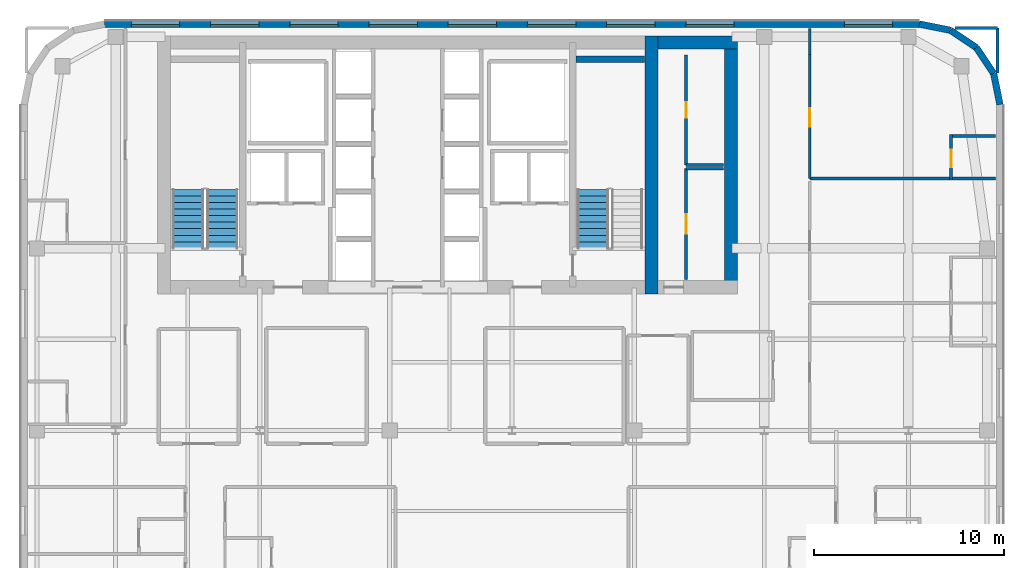
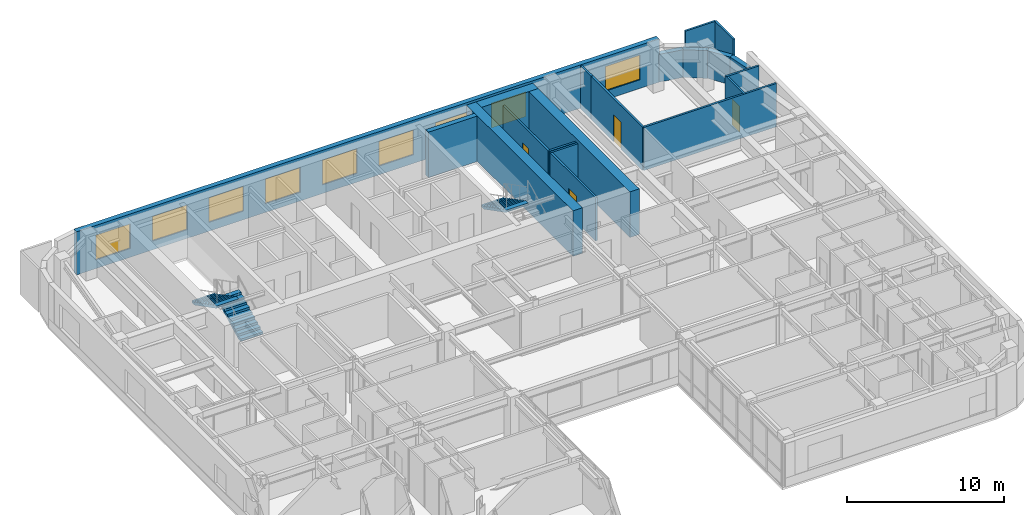
# One storey, part 15 of 21: 20 walls, 9 windows, 4 doors, 3 stair flights, 13 openings, 2 elements without a shape of their own.
"""IFC4 building model written with IfcOpenShell, lengths in metres."""

from ifc_helpers import new_model, si_unit, direction, frame, frame_2d, origin, place, context, subcontext, project, spatial, polyline, rectangle, outline, extrude, source, transform, mapped, material, layer, layer_set, type_object, type_shapes, element, fill, aggregate, save


model = new_model("IFC4")

# Units and contexts
model_context = context("Model", 3, precision=1e-05, world=origin(), true_north=direction((0.0, 1.0)))
body_context = subcontext(model_context, "Body", "Model", "MODEL_VIEW")
ifc_project = project(units=[si_unit("LENGTHUNIT", "METRE"), si_unit("AREAUNIT", "SQUARE_METRE"), si_unit("VOLUMEUNIT", "CUBIC_METRE"), si_unit("PLANEANGLEUNIT", "RADIAN"), si_unit("MASSUNIT", "GRAM", prefix="KILO")], contexts=[model_context])

# Site, building, storey
site_placement = place(None, origin())
site = spatial("IfcSite", under=ifc_project, at=site_placement, CompositionType="ELEMENT")
building_placement = place(site_placement, origin())
building = spatial("IfcBuilding", under=site, at=building_placement, Name="Tolvann Quenvar Hotel", CompositionType="ELEMENT")
storey_placement = place(building_placement, frame((0.0, 0.0, 161.25)))
storey = spatial("IfcBuildingStorey", under=building, at=storey_placement, Name="L42", CompositionType="ELEMENT", Elevation=161.25)

# Walls
ifc_material_1 = material(Name="Concrete S65 (65 MPa)", Category="concrete")
ifc_layer_1 = layer(ifc_material_1, 0.699951171875)
ifc_layer_set_1 = layer_set([ifc_layer_1], Name="Concrete S65 (65 MPa)")
wall_type_1 = type_object("IfcWallType", Name="WALL_CORE_700", PredefinedType="SHEAR", material=ifc_layer_set_1)
wall_1_placement = place(storey_placement, frame((35.85009765625, 31.60009765625, 0.0), z_axis=(0.0, 0.0, 1.0), x_axis=(0.0, 1.0, 0.0)))
element("IfcWall", 1, at=wall_1_placement, inside=storey, type_object=wall_type_1, Name="Rear Core E Shear Wall (L42)", PredefinedType="SHEAR", context=body_context, shape_type="SweptSolid", body=[
    extrude(rectangle(XDim=13.599853515625, YDim=0.699951171875, at=frame_2d((6.7998046875, 0.0))), origin(), (0.0, 0.0, 1.0), 3.550048828125),
])
wall_2_placement = place(storey_placement, frame((36.199951171875, 44.85009765625, 0.0), z_axis=(0.0, 0.0, 1.0), x_axis=(1.0, 0.0, 0.0)))
element("IfcWall", 2, at=wall_2_placement, inside=storey, type_object=wall_type_1, Name="Core East Annex Shear Wall ANN-N (L42)", PredefinedType="SHEAR", context=body_context, shape_type="SweptSolid", body=[
    extrude(rectangle(XDim=4.199951171875, YDim=0.699951171875, at=frame_2d((2.10009765625, 0.0))), origin(), (0.0, 0.0, 1.0), 3.550048828125),
])
wall_3_placement = place(storey_placement, frame((40.050048828125, 31.60009765625, 0.0), z_axis=(0.0, 0.0, 1.0), x_axis=(0.0, 1.0, 0.0)))
element("IfcWall", 3, at=wall_3_placement, inside=storey, type_object=wall_type_1, Name="Core East Annex Shear Wall ANN-E (L42)", PredefinedType="SHEAR", context=body_context, shape_type="SweptSolid", body=[
    extrude(rectangle(XDim=13.599853515625, YDim=0.699951171875, at=frame_2d((6.7998046875, 0.0))), origin(), (0.0, 0.0, 1.0), 3.550048828125),
])
ifc_layer_2 = layer(ifc_material_1, 0.35009765625)
ifc_layer_set_2 = layer_set([ifc_layer_2], Name="Concrete S65 (65 MPa)")
wall_type_2 = type_object("IfcWallType", Name="WALL_CORE_INT_350", PredefinedType="SHEAR", material=ifc_layer_set_2)
wall_4_placement = place(storey_placement, frame((31.8798828125, 43.97509765625, 0.0), z_axis=(0.0, 0.0, 1.0), x_axis=(1.0, 0.0, 0.0)))
element("IfcWall", 4, at=wall_4_placement, inside=storey, type_object=wall_type_2, Name="Core Stair North Closing Shear Wall STC2-N (L42)", PredefinedType="SHEAR", context=body_context, shape_type="SweptSolid", body=[
    extrude(rectangle(XDim=3.60009765625, YDim=0.35009765625, at=frame_2d((1.800048828125, 0.0))), origin(), (0.0, 0.0, 1.0), 3.550048828125),
])
ifc_material_2 = material(Name="Kiln-fired red and buff architectural clay brickwork and terracotta masonry", Category="masonry")
ifc_layer_3 = layer(ifc_material_2, 0.35009765625)
ifc_layer_set_3 = layer_set([ifc_layer_3], Name="Kiln-fired red and buff architectural clay brickwork and terracotta masonry")
wall_type_3 = type_object("IfcWallType", Name="WALL_EXT_BRICK_350", PredefinedType="SOLIDWALL", material=ifc_layer_set_3)
wall_5_placement = place(storey_placement, frame((54.22509765625, 41.582763671875, 0.0), z_axis=(0.0, 0.0, 1.0), x_axis=(-0.195044345786, 0.980794424524, 0.0)))
element("IfcWall", 5, at=wall_5_placement, inside=storey, type_object=wall_type_3, Name="Exterior Chicago Brick Wall L42-E14", PredefinedType="SOLIDWALL", context=body_context, shape_type="SweptSolid", body=[
    extrude(rectangle(XDim=1.664794921875, YDim=0.35009765625, at=frame_2d((0.83251953125, 0.0))), origin(), (0.0, 0.0, 1.0), 2.159912109375),
])
for number, where, z_axis, x_axis, name in (
    (6, (53.900390625, 43.215576171875, 0.0), (0.0, 0.0, 1.0), (-0.555623290322, 0.831434158098, 0.0), "Exterior Chicago Brick Wall L42-E15"),
    (7, (52.985107421875, 44.585205078125, 0.0), (0.0, 0.0, 1.0), (-0.831502623162, 0.555520825599, 0.0), "Exterior Chicago Brick Wall L42-E16"),
):
    element("IfcWall", number, at=place(storey_placement, frame(where, z_axis=z_axis, x_axis=x_axis)), inside=storey, type_object=wall_type_3, Name=name, PredefinedType="SOLIDWALL", context=body_context, shape_type="SweptSolid", body=[
        extrude(rectangle(XDim=1.647216796875, YDim=0.35009765625, at=frame_2d((0.82373046875, 0.0))), origin(), (0.0, 0.0, 1.0), 2.159912109375),
    ])
wall_6_placement = place(storey_placement, frame((51.615478515625, 45.500244140625, 0.0), z_axis=(0.0, 0.0, 1.0), x_axis=(-0.980788844421, 0.195072403631, 0.0)))
element("IfcWall", 8, at=wall_6_placement, inside=storey, type_object=wall_type_3, Name="Exterior Chicago Brick Wall L42-E17", PredefinedType="SOLIDWALL", context=body_context, shape_type="SweptSolid", body=[
    extrude(rectangle(XDim=1.66455078125, YDim=0.35009765625, at=frame_2d((0.832275390625, 0.0))), origin(), (0.0, 0.0, 1.0), 2.159912109375),
])

# Wall, openings, windows
wall_7_placement = place(storey_placement, frame((49.98291015625, 45.824951171875, 0.0), z_axis=(0.0, 0.0, 1.0), x_axis=(-1.0, 0.0, 0.0)))
wall_7 = element("IfcWall", 9, at=wall_7_placement, inside=storey, type_object=wall_type_3, Name="Exterior Chicago Brick Wall L42-E18", PredefinedType="SOLIDWALL", context=body_context, shape_type="SweptSolid", body=[
    extrude(rectangle(XDim=42.9658203125, YDim=0.35009765625, at=frame_2d((21.48291015625, 0.0))), origin(), (0.0, 0.0, 1.0), 3.3701171875),
])
opening_1_placement = place(wall_7_placement, frame((1.4130859375, 0.0, 0.679931640625)))
opening_1 = element("IfcOpeningElement", 10, at=opening_1_placement, cuts=wall_7, Name="Opening W-09", PredefinedType="OPENING", context=body_context, shape_type="SweptSolid", body=[
    extrude(rectangle(XDim=2.550048828125, YDim=1.919921875, at=frame_2d((1.27490234375, 0.9599609375))), frame((0.0, 0.18505859375, 0.0), z_axis=(0.0, -1.0, 0.0), x_axis=(1.0, 0.0, 0.0)), (0.0, 0.0, 1.0), 0.3701171875),
])
opening_2_placement = place(wall_7_placement, frame((9.76611328125, 0.0, 0.679931640625)))
opening_2 = element("IfcOpeningElement", 11, at=opening_2_placement, cuts=wall_7, Name="Opening W-09", PredefinedType="OPENING", context=body_context, shape_type="SweptSolid", body=[
    extrude(rectangle(XDim=2.550048828125, YDim=1.919921875, at=frame_2d((1.27490234375, 0.9599609375))), frame((0.0, 0.18505859375, 0.0), z_axis=(0.0, -1.0, 0.0), x_axis=(1.0, 0.0, 0.0)), (0.0, 0.0, 1.0), 0.3701171875),
])
opening_3_placement = place(wall_7_placement, frame((13.943115234375, 0.0, 0.679931640625)))
opening_3 = element("IfcOpeningElement", 12, at=opening_3_placement, cuts=wall_7, Name="Opening W-09", PredefinedType="OPENING", context=body_context, shape_type="SweptSolid", body=[
    extrude(rectangle(XDim=2.550048828125, YDim=1.919921875, at=frame_2d((1.27490234375, 0.9599609375))), frame((0.0, 0.18505859375, 0.0), z_axis=(0.0, -1.0, 0.0), x_axis=(1.0, 0.0, 0.0)), (0.0, 0.0, 1.0), 0.3701171875),
])
opening_4_placement = place(wall_7_placement, frame((18.1201171875, 0.0, 0.679931640625)))
opening_4 = element("IfcOpeningElement", 13, at=opening_4_placement, cuts=wall_7, Name="Opening W-09", PredefinedType="OPENING", context=body_context, shape_type="SweptSolid", body=[
    extrude(rectangle(XDim=2.550048828125, YDim=1.919921875, at=frame_2d((1.27490234375, 0.9599609375))), frame((0.0, 0.18505859375, 0.0), z_axis=(0.0, -1.0, 0.0), x_axis=(1.0, 0.0, 0.0)), (0.0, 0.0, 1.0), 0.3701171875),
])
opening_5_placement = place(wall_7_placement, frame((22.2958984375, 0.0, 0.679931640625)))
opening_5 = element("IfcOpeningElement", 14, at=opening_5_placement, cuts=wall_7, Name="Opening W-09", PredefinedType="OPENING", context=body_context, shape_type="SweptSolid", body=[
    extrude(rectangle(XDim=2.550048828125, YDim=1.919921875, at=frame_2d((1.27490234375, 0.9599609375))), frame((0.0, 0.18505859375, 0.0), z_axis=(0.0, -1.0, 0.0), x_axis=(1.0, 0.0, 0.0)), (0.0, 0.0, 1.0), 0.3701171875),
])
opening_6_placement = place(wall_7_placement, frame((26.472900390625, 0.0, 0.679931640625)))
opening_6 = element("IfcOpeningElement", 15, at=opening_6_placement, cuts=wall_7, Name="Opening W-09", PredefinedType="OPENING", context=body_context, shape_type="SweptSolid", body=[
    extrude(rectangle(XDim=2.550048828125, YDim=1.919921875, at=frame_2d((1.27490234375, 0.9599609375))), frame((0.0, 0.18505859375, 0.0), z_axis=(0.0, -1.0, 0.0), x_axis=(1.0, 0.0, 0.0)), (0.0, 0.0, 1.0), 0.3701171875),
])
opening_7_placement = place(wall_7_placement, frame((30.64892578125, 0.0, 0.679931640625)))
opening_7 = element("IfcOpeningElement", 16, at=opening_7_placement, cuts=wall_7, Name="Opening W-09", PredefinedType="OPENING", context=body_context, shape_type="SweptSolid", body=[
    extrude(rectangle(XDim=2.550048828125, YDim=1.919921875, at=frame_2d((1.27490234375, 0.9599609375))), frame((0.0, 0.18505859375, 0.0), z_axis=(0.0, -1.0, 0.0), x_axis=(1.0, 0.0, 0.0)), (0.0, 0.0, 1.0), 0.3701171875),
])
opening_8_placement = place(wall_7_placement, frame((34.825927734375, 0.0, 0.679931640625)))
opening_8 = element("IfcOpeningElement", 17, at=opening_8_placement, cuts=wall_7, Name="Opening W-09", PredefinedType="OPENING", context=body_context, shape_type="SweptSolid", body=[
    extrude(rectangle(XDim=2.550048828125, YDim=1.919921875, at=frame_2d((1.27490234375, 0.9599609375))), frame((0.0, 0.18505859375, 0.0), z_axis=(0.0, -1.0, 0.0), x_axis=(1.0, 0.0, 0.0)), (0.0, 0.0, 1.0), 0.3701171875),
])
opening_9_placement = place(wall_7_placement, frame((39.001953125, 0.0, 0.679931640625)))
opening_9 = element("IfcOpeningElement", 18, at=opening_9_placement, cuts=wall_7, Name="Opening W-09", PredefinedType="OPENING", context=body_context, shape_type="SweptSolid", body=[
    extrude(rectangle(XDim=2.550048828125, YDim=1.919921875, at=frame_2d((1.27490234375, 0.9599609375))), frame((0.0, 0.18505859375, 0.0), z_axis=(0.0, -1.0, 0.0), x_axis=(1.0, 0.0, 0.0)), (0.0, 0.0, 1.0), 0.3701171875),
])
ifc_material_3 = material(Name="Thermally broken bronze-anodised aluminium frame with double low-E glazing", Category="aluminium")
window_type = type_object("IfcWindowType", Name="WIN_LNG_2550x1950", PartitioningType="TRIPLE_PANEL_HORIZONTAL", PredefinedType="WINDOW", material=ifc_material_3)
shared_shape_1 = source(origin(), body_context, "Body", "SweptSolid", [
    extrude(rectangle(XDim=2.550048828125, YDim=1.919921875, at=frame_2d((1.27490234375, 0.9599609375))), frame((0.0, 0.090087890625, 0.0), z_axis=(0.0, -1.0, 0.0), x_axis=(1.0, 0.0, 0.0)), (0.0, 0.0, 1.0), 0.06005859375),
])
type_shapes(window_type, [shared_shape_1])
window_1_placement = place(opening_1_placement, origin())
window_1 = element("IfcWindow", 19, at=window_1_placement, inside=storey, type_object=window_type, Name="Chicago Window W-09 (EW-L42-E18-W01)", OverallHeight=1.919921875, OverallWidth=2.550048828125, PartitioningType="TRIPLE_PANEL_HORIZONTAL", PredefinedType="WINDOW", context=body_context, shape_type="MappedRepresentation", body=[
    mapped(shared_shape_1, transform((0.0, 0.0, 0.0), x_axis=(1.0, 0.0, 0.0), y_axis=(0.0, 1.0, 0.0), z_axis=(0.0, 0.0, 1.0), scale=1.0)),
])
fill(opening_1, window_1)
window_2_placement = place(opening_2_placement, origin())
window_2 = element("IfcWindow", 20, at=window_2_placement, inside=storey, type_object=window_type, Name="Chicago Window W-09 (EW-L42-E18-W02)", OverallHeight=1.919921875, OverallWidth=2.550048828125, PartitioningType="TRIPLE_PANEL_HORIZONTAL", PredefinedType="WINDOW", context=body_context, shape_type="MappedRepresentation", body=[
    mapped(shared_shape_1, transform((0.0, 0.0, 0.0), x_axis=(1.0, 0.0, 0.0), y_axis=(0.0, 1.0, 0.0), z_axis=(0.0, 0.0, 1.0), scale=1.0)),
])
fill(opening_2, window_2)
window_3_placement = place(opening_3_placement, origin())
window_3 = element("IfcWindow", 21, at=window_3_placement, inside=storey, type_object=window_type, Name="Chicago Window W-09 (EW-L42-E18-W03)", OverallHeight=1.919921875, OverallWidth=2.550048828125, PartitioningType="TRIPLE_PANEL_HORIZONTAL", PredefinedType="WINDOW", context=body_context, shape_type="MappedRepresentation", body=[
    mapped(shared_shape_1, transform((0.0, 0.0, 0.0), x_axis=(1.0, 0.0, 0.0), y_axis=(0.0, 1.0, 0.0), z_axis=(0.0, 0.0, 1.0), scale=1.0)),
])
fill(opening_3, window_3)
window_4_placement = place(opening_4_placement, origin())
window_4 = element("IfcWindow", 22, at=window_4_placement, inside=storey, type_object=window_type, Name="Chicago Window W-09 (EW-L42-E18-W04)", OverallHeight=1.919921875, OverallWidth=2.550048828125, PartitioningType="TRIPLE_PANEL_HORIZONTAL", PredefinedType="WINDOW", context=body_context, shape_type="MappedRepresentation", body=[
    mapped(shared_shape_1, transform((0.0, 0.0, 0.0), x_axis=(1.0, 0.0, 0.0), y_axis=(0.0, 1.0, 0.0), z_axis=(0.0, 0.0, 1.0), scale=1.0)),
])
fill(opening_4, window_4)
window_5_placement = place(opening_5_placement, origin())
window_5 = element("IfcWindow", 23, at=window_5_placement, inside=storey, type_object=window_type, Name="Chicago Window W-09 (EW-L42-E18-W05)", OverallHeight=1.919921875, OverallWidth=2.550048828125, PartitioningType="TRIPLE_PANEL_HORIZONTAL", PredefinedType="WINDOW", context=body_context, shape_type="MappedRepresentation", body=[
    mapped(shared_shape_1, transform((0.0, 0.0, 0.0), x_axis=(1.0, 0.0, 0.0), y_axis=(0.0, 1.0, 0.0), z_axis=(0.0, 0.0, 1.0), scale=1.0)),
])
fill(opening_5, window_5)
window_6_placement = place(opening_6_placement, origin())
window_6 = element("IfcWindow", 24, at=window_6_placement, inside=storey, type_object=window_type, Name="Chicago Window W-09 (EW-L42-E18-W06)", OverallHeight=1.919921875, OverallWidth=2.550048828125, PartitioningType="TRIPLE_PANEL_HORIZONTAL", PredefinedType="WINDOW", context=body_context, shape_type="MappedRepresentation", body=[
    mapped(shared_shape_1, transform((0.0, 0.0, 0.0), x_axis=(1.0, 0.0, 0.0), y_axis=(0.0, 1.0, 0.0), z_axis=(0.0, 0.0, 1.0), scale=1.0)),
])
fill(opening_6, window_6)
window_7_placement = place(opening_7_placement, origin())
window_7 = element("IfcWindow", 25, at=window_7_placement, inside=storey, type_object=window_type, Name="Chicago Window W-09 (EW-L42-E18-W07)", OverallHeight=1.919921875, OverallWidth=2.550048828125, PartitioningType="TRIPLE_PANEL_HORIZONTAL", PredefinedType="WINDOW", context=body_context, shape_type="MappedRepresentation", body=[
    mapped(shared_shape_1, transform((0.0, 0.0, 0.0), x_axis=(1.0, 0.0, 0.0), y_axis=(0.0, 1.0, 0.0), z_axis=(0.0, 0.0, 1.0), scale=1.0)),
])
fill(opening_7, window_7)
window_8_placement = place(opening_8_placement, origin())
window_8 = element("IfcWindow", 26, at=window_8_placement, inside=storey, type_object=window_type, Name="Chicago Window W-09 (EW-L42-E18-W08)", OverallHeight=1.919921875, OverallWidth=2.550048828125, PartitioningType="TRIPLE_PANEL_HORIZONTAL", PredefinedType="WINDOW", context=body_context, shape_type="MappedRepresentation", body=[
    mapped(shared_shape_1, transform((0.0, 0.0, 0.0), x_axis=(1.0, 0.0, 0.0), y_axis=(0.0, 1.0, 0.0), z_axis=(0.0, 0.0, 1.0), scale=1.0)),
])
fill(opening_8, window_8)
window_9_placement = place(opening_9_placement, origin())
window_9 = element("IfcWindow", 27, at=window_9_placement, inside=storey, type_object=window_type, Name="Chicago Window W-09 (EW-L42-E18-W09)", OverallHeight=1.919921875, OverallWidth=2.550048828125, PartitioningType="TRIPLE_PANEL_HORIZONTAL", PredefinedType="WINDOW", context=body_context, shape_type="MappedRepresentation", body=[
    mapped(shared_shape_1, transform((0.0, 0.0, 0.0), x_axis=(1.0, 0.0, 0.0), y_axis=(0.0, 1.0, 0.0), z_axis=(0.0, 0.0, 1.0), scale=1.0)),
])
fill(opening_9, window_9)

# Wall, opening, door
ifc_material_4 = material(Name="Acoustic twin-stud fire-rated gypsum plasterboard partition")
ifc_layer_4 = layer(ifc_material_4, 0.14990234375)
ifc_layer_set_4 = layer_set([ifc_layer_4], Name="Acoustic twin-stud fire-rated gypsum plasterboard partition")
wall_type_4 = type_object("IfcWallType", Name="WALL_PART_SUITE_150", PredefinedType="PARTITIONING", material=ifc_layer_set_4)
wall_8_placement = place(storey_placement, frame((51.64990234375, 37.610107421875, 0.0), z_axis=(0.0, 0.0, 1.0), x_axis=(0.0, 1.0, 0.0)))
wall_8 = element("IfcWall", 28, at=wall_8_placement, inside=storey, type_object=wall_type_4, Name="Interior Partition PT-SPC-L42-ENS-NE03-ENT", PredefinedType="PARTITIONING", context=body_context, shape_type="SweptSolid", body=[
    extrude(rectangle(XDim=2.389892578125, YDim=0.14990234375, at=frame_2d((1.19482421875, 0.0))), origin(), (0.0, 0.0, 1.0), 3.3701171875),
])
opening_10_placement = place(wall_8_placement, frame((0.6650390625, 0.0, 0.0)))
opening_10 = element("IfcOpeningElement", 29, at=opening_10_placement, cuts=wall_8, Name="Opening WD-01", PredefinedType="OPENING", context=body_context, shape_type="SweptSolid", body=[
    extrude(rectangle(XDim=0.919921875, YDim=2.010009765625, at=frame_2d((0.4599609375, 1.0048828125))), frame((0.0, 0.0849609375, 0.0), z_axis=(0.0, -1.0, 0.0), x_axis=(1.0, 0.0, 0.0)), (0.0, 0.0, 1.0), 0.169921875),
])
ifc_material_5 = material(Name="Solid-core American oak acoustic fire door leaf in steel frame", Category="steel")
door_type_1 = type_object("IfcDoorType", Name="DOOR_WC_920", OperationType="NOTDEFINED", PredefinedType="DOOR", material=ifc_material_5)
shared_shape_2 = source(origin(), body_context, "Body", "SweptSolid", [
    extrude(rectangle(XDim=0.919921875, YDim=2.010009765625, at=frame_2d((0.4599609375, 1.0048828125))), frame((0.0, 0.02490234375, 0.0), z_axis=(0.0, -1.0, 0.0), x_axis=(1.0, 0.0, 0.0)), (0.0, 0.0, 1.0), 0.050048828125),
])
type_shapes(door_type_1, [shared_shape_2])
door_1_placement = place(opening_10_placement, origin())
door_1 = element("IfcDoor", 30, at=door_1_placement, inside=storey, type_object=door_type_1, Name="Interior Door DOOR-SPC-L42-ENS-NE03", OperationType="SINGLE_SWING_RIGHT", OverallHeight=2.010009765625, OverallWidth=0.919921875, PredefinedType="DOOR", context=body_context, shape_type="MappedRepresentation", body=[
    mapped(shared_shape_2, transform((0.0, 0.0, 0.0), x_axis=(1.0, 0.0, 0.0), y_axis=(0.0, 1.0, 0.0), z_axis=(0.0, 0.0, 1.0), scale=1.0)),
])
fill(opening_10, door_1)

# Walls
wall_9_placement = place(storey_placement, frame((44.199951171875, 37.679931640625, 0.0), z_axis=(0.0, 0.0, 1.0), x_axis=(1.0, 0.0, 0.0)))
element("IfcWall", 31, at=wall_9_placement, inside=storey, type_object=wall_type_4, Name="Interior Partition PT-SPC-L42-ENS-NE03-S", PredefinedType="PARTITIONING", context=body_context, shape_type="SweptSolid", body=[
    extrude(rectangle(XDim=9.795166015625, YDim=0.14990234375, at=frame_2d((4.8974609375, 0.0))), origin(), (0.0, 0.0, 1.0), 3.3701171875),
])
wall_10_placement = place(storey_placement, frame((51.580078125, 39.929931640625, 0.0), z_axis=(0.0, 0.0, 1.0), x_axis=(1.0, 0.0, 0.0)))
element("IfcWall", 32, at=wall_10_placement, inside=storey, type_object=wall_type_4, Name="Interior Partition PT-SPC-L42-ENS-NE03-N", PredefinedType="PARTITIONING", context=body_context, shape_type="SweptSolid", body=[
    extrude(rectangle(XDim=2.4150390625, YDim=0.14990234375, at=frame_2d((1.20751953125, 0.0))), origin(), (0.0, 0.0, 1.0), 3.3701171875),
])
wall_11_placement = place(storey_placement, frame((37.679931640625, 38.199951171875, 0.0), z_axis=(0.0, 0.0, 1.0), x_axis=(1.0, 0.0, 0.0)))
element("IfcWall", 33, at=wall_11_placement, inside=storey, type_object=wall_type_4, Name="Interior Partition PT-SPC-L42-RECPL-1-N", PredefinedType="PARTITIONING", context=body_context, shape_type="SweptSolid", body=[
    extrude(rectangle(XDim=1.965087890625, YDim=0.14990234375, at=frame_2d((0.982421875, 0.0))), origin(), (0.0, 0.0, 1.0), 3.3701171875),
])

# Wall, opening, door
wall_12_placement = place(storey_placement, frame((37.679931640625, 32.35498046875, 0.0), z_axis=(0.0, 0.0, 1.0), x_axis=(0.0, 1.0, 0.0)))
wall_12 = element("IfcWall", 34, at=wall_12_placement, inside=storey, type_object=wall_type_4, Name="Interior Partition PT-SPC-L42-RECPL-1-W", PredefinedType="PARTITIONING", context=body_context, shape_type="SweptSolid", body=[
    extrude(rectangle(XDim=5.844970703125, YDim=0.14990234375, at=frame_2d((2.92236328125, 0.0))), origin(), (0.0, 0.0, 1.0), 3.3701171875),
])
opening_11_placement = place(wall_12_placement, frame((2.41259765625, 0.0, 0.0)))
opening_11 = element("IfcOpeningElement", 35, at=opening_11_placement, cuts=wall_12, Name="Opening HD-01", PredefinedType="OPENING", context=body_context, shape_type="SweptSolid", body=[
    extrude(rectangle(XDim=1.02001953125, YDim=2.030029296875, at=frame_2d((0.510009765625, 1.01513671875))), frame((0.0, 0.0849609375, 0.0), z_axis=(0.0, -1.0, 0.0), x_axis=(1.0, 0.0, 0.0)), (0.0, 0.0, 1.0), 0.169921875),
])
ifc_material_6 = material(Name="Pressed galvanised steel fire-rated door set", Category="steel")
door_type_2 = type_object("IfcDoorType", Name="DOOR_BOH_1020", OperationType="NOTDEFINED", PredefinedType="DOOR", material=ifc_material_6)
shared_shape_3 = source(origin(), body_context, "Body", "SweptSolid", [
    extrude(rectangle(XDim=1.02001953125, YDim=2.030029296875, at=frame_2d((0.510009765625, 1.01513671875))), frame((0.0, 0.02490234375, 0.0), z_axis=(0.0, -1.0, 0.0), x_axis=(1.0, 0.0, 0.0)), (0.0, 0.0, 1.0), 0.050048828125),
])
type_shapes(door_type_2, [shared_shape_3])
door_2_placement = place(opening_11_placement, origin())
door_2 = element("IfcDoor", 36, at=door_2_placement, inside=storey, type_object=door_type_2, Name="Interior Door DOOR-SPC-L42-RECPL-1", OperationType="SINGLE_SWING_LEFT", OverallHeight=2.030029296875, OverallWidth=1.02001953125, PredefinedType="DOOR", context=body_context, shape_type="MappedRepresentation", body=[
    mapped(shared_shape_3, transform((0.0, 0.0, 0.0), x_axis=(1.0, 0.0, 0.0), y_axis=(0.0, 1.0, 0.0), z_axis=(0.0, 0.0, 1.0), scale=1.0)),
])
fill(opening_11, door_2)

# Wall
wall_13_placement = place(storey_placement, frame((37.679931640625, 38.39990234375, 0.0), z_axis=(0.0, 0.0, 1.0), x_axis=(1.0, 0.0, 0.0)))
element("IfcWall", 37, at=wall_13_placement, inside=storey, type_object=wall_type_4, Name="Interior Partition PT-SPC-L42-CSE-1-S", PredefinedType="PARTITIONING", context=body_context, shape_type="SweptSolid", body=[
    extrude(rectangle(XDim=1.965087890625, YDim=0.14990234375, at=frame_2d((0.982421875, 0.0))), origin(), (0.0, 0.0, 1.0), 3.3701171875),
])

# Wall, opening, door
wall_14_placement = place(storey_placement, frame((37.679931640625, 38.39990234375, 0.0), z_axis=(0.0, 0.0, 1.0), x_axis=(0.0, 1.0, 0.0)))
wall_14 = element("IfcWall", 38, at=wall_14_placement, inside=storey, type_object=wall_type_4, Name="Interior Partition PT-SPC-L42-CSE-1-W", PredefinedType="PARTITIONING", context=body_context, shape_type="SweptSolid", body=[
    extrude(rectangle(XDim=5.800048828125, YDim=0.14990234375, at=frame_2d((2.89990234375, 0.0))), origin(), (0.0, 0.0, 1.0), 3.3701171875),
])
opening_12_placement = place(wall_14_placement, frame((2.489990234375, 0.0, 0.0)))
opening_12 = element("IfcOpeningElement", 39, at=opening_12_placement, cuts=wall_14, Name="Opening HD-02", PredefinedType="OPENING", context=body_context, shape_type="SweptSolid", body=[
    extrude(rectangle(XDim=0.820068359375, YDim=2.010009765625, at=frame_2d((0.41015625, 1.0048828125))), frame((0.0, 0.0849609375, 0.0), z_axis=(0.0, -1.0, 0.0), x_axis=(1.0, 0.0, 0.0)), (0.0, 0.0, 1.0), 0.169921875),
])
door_type_3 = type_object("IfcDoorType", Name="DOOR_STORE_820", OperationType="NOTDEFINED", PredefinedType="DOOR", material=ifc_material_6)
shared_shape_4 = source(origin(), body_context, "Body", "SweptSolid", [
    extrude(rectangle(XDim=0.820068359375, YDim=2.010009765625, at=frame_2d((0.41015625, 1.0048828125))), frame((0.0, 0.02490234375, 0.0), z_axis=(0.0, -1.0, 0.0), x_axis=(1.0, 0.0, 0.0)), (0.0, 0.0, 1.0), 0.050048828125),
])
type_shapes(door_type_3, [shared_shape_4])
door_3_placement = place(opening_12_placement, origin())
door_3 = element("IfcDoor", 40, at=door_3_placement, inside=storey, type_object=door_type_3, Name="Interior Door DOOR-SPC-L42-CSE-1", OperationType="SINGLE_SWING_RIGHT", OverallHeight=2.010009765625, OverallWidth=0.820068359375, PredefinedType="DOOR", context=body_context, shape_type="MappedRepresentation", body=[
    mapped(shared_shape_4, transform((0.0, 0.0, 0.0), x_axis=(1.0, 0.0, 0.0), y_axis=(0.0, 1.0, 0.0), z_axis=(0.0, 0.0, 1.0), scale=1.0)),
])
fill(opening_12, door_3)

wall_15_placement = place(storey_placement, frame((44.199951171875, 37.679931640625, 0.0), z_axis=(0.0, 0.0, 1.0), x_axis=(0.0, 1.0, 0.0)))
wall_15 = element("IfcWall", 41, at=wall_15_placement, inside=storey, type_object=wall_type_4, Name="Interior Partition PT-SPC-L42-RM-NE03-ENT", PredefinedType="PARTITIONING", context=body_context, shape_type="SweptSolid", body=[
    extrude(rectangle(XDim=6.530029296875, YDim=0.14990234375, at=frame_2d((3.26513671875, 0.0))), origin(), (0.0, 0.0, 1.0), 3.3701171875),
])
opening_13_placement = place(wall_15_placement, frame((2.719970703125, 0.0, 0.0)))
opening_13 = element("IfcOpeningElement", 42, at=opening_13_placement, cuts=wall_15, Name="Opening SD-01", PredefinedType="OPENING", context=body_context, shape_type="SweptSolid", body=[
    extrude(rectangle(XDim=0.97998046875, YDim=2.1201171875, at=frame_2d((0.489990234375, 1.06005859375))), frame((0.0, 0.0849609375, 0.0), z_axis=(0.0, -1.0, 0.0), x_axis=(1.0, 0.0, 0.0)), (0.0, 0.0, 1.0), 0.169921875),
])
door_type_4 = type_object("IfcDoorType", Name="DOOR_SUITE_980", OperationType="NOTDEFINED", PredefinedType="DOOR", material=ifc_material_5)
shared_shape_5 = source(origin(), body_context, "Body", "SweptSolid", [
    extrude(rectangle(XDim=0.97998046875, YDim=2.1201171875, at=frame_2d((0.489990234375, 1.06005859375))), frame((0.0, 0.02490234375, 0.0), z_axis=(0.0, -1.0, 0.0), x_axis=(1.0, 0.0, 0.0)), (0.0, 0.0, 1.0), 0.050048828125),
])
type_shapes(door_type_4, [shared_shape_5])
door_4_placement = place(opening_13_placement, origin())
door_4 = element("IfcDoor", 43, at=door_4_placement, inside=storey, type_object=door_type_4, Name="Interior Door DOOR-SPC-L42-RM-NE03", OperationType="SINGLE_SWING_LEFT", OverallHeight=2.1201171875, OverallWidth=0.97998046875, PredefinedType="DOOR", context=body_context, shape_type="MappedRepresentation", body=[
    mapped(shared_shape_5, transform((0.0, 0.0, 0.0), x_axis=(1.0, 0.0, 0.0), y_axis=(0.0, 1.0, 0.0), z_axis=(0.0, 0.0, 1.0), scale=1.0)),
])
fill(opening_13, door_4)

# Walls
wall_16_placement = place(storey_placement, frame((54.10009765625, 43.2548828125, 0.0), z_axis=(0.0, 0.0, 1.0), x_axis=(0.0, 1.0, 0.0)))
element("IfcWall", 44, at=wall_16_placement, inside=storey, type_object=wall_type_4, Name="Interior Partition PT-SPC-L42-RM-NE03-E4", PredefinedType="PARTITIONING", context=body_context, shape_type="SweptSolid", body=[
    extrude(rectangle(XDim=2.365234375, YDim=0.14990234375, at=frame_2d((1.1826171875, 0.0))), origin(), (0.0, 0.0, 1.0), 3.3701171875),
])
wall_17_placement = place(storey_placement, frame((51.85009765625, 45.6201171875, 0.0), z_axis=(0.0, 0.0, 1.0), x_axis=(1.0, 0.0, 0.0)))
element("IfcWall", 45, at=wall_17_placement, inside=storey, type_object=wall_type_4, Name="Interior Partition PT-SPC-L42-RM-NE03-E5", PredefinedType="PARTITIONING", context=body_context, shape_type="SweptSolid", body=[
    extrude(rectangle(XDim=2.25, YDim=0.14990234375, at=frame_2d((1.125, 0.0))), origin(), (0.0, 0.0, 1.0), 3.3701171875),
])
wall_18_placement = place(storey_placement, frame((44.199951171875, 44.219970703125, 0.0), z_axis=(0.0, 0.0, 1.0), x_axis=(0.0, 1.0, 0.0)))
element("IfcWall", 46, at=wall_18_placement, inside=storey, type_object=wall_type_4, Name="Interior Partition PT-SPC-L42-RM-NE03-E6", PredefinedType="PARTITIONING", context=body_context, shape_type="SweptSolid", body=[
    extrude(rectangle(XDim=1.375, YDim=0.14990234375, at=frame_2d((0.6875, 0.0))), origin(), (0.0, 0.0, 1.0), 3.3701171875),
])

# Stair, stair flights
ifc_material_7 = material(Name="Concrete N40 (40 MPa)", Category="concrete")
stair_type = type_object("IfcStairType", Name="STAIR", PredefinedType="HALF_TURN_STAIR", material=ifc_material_7)
stair_1_placement = place(storey_placement, origin())
stair_1 = element("IfcStair", 47, at=stair_1_placement, inside=storey, type_object=stair_type, Name="L42 ST-C1", PredefinedType="HALF_TURN_STAIR")
stair_flight_type = type_object("IfcStairFlightType", Name="STAIR_FLIGHT", PredefinedType="STRAIGHT", material=ifc_material_7)
stair_flight_1_placement = place(storey_placement, frame((13.22509765625, 34.0, 0.0), z_axis=(0.0, 0.0, 1.0), x_axis=(0.0, 1.0, 0.0)))
stair_flight_1 = element("IfcStairFlight", 48, at=stair_flight_1_placement, type_object=stair_flight_type, Name="ST-C1 flight 1", NumberOfRisers=10, NumberOfTreads=9, PredefinedType="STRAIGHT", RiserHeight=0.1775, TreadLength=0.345, context=body_context, shape_type="SweptSolid", body=[
    extrude(outline(polyline([(0.0, 0.0), (0.0, 0.177490234375), (0.344970703125, 0.177490234375), (0.344970703125, 0.35498046875), (0.68994140625, 0.35498046875), (0.68994140625, 0.532470703125), (1.034912109375, 0.532470703125), (1.034912109375, 0.7099609375), (1.3798828125, 0.7099609375), (1.3798828125, 0.887451171875), (1.72509765625, 0.887451171875), (1.72509765625, 1.06494140625), (2.070068359375, 1.06494140625), (2.070068359375, 1.242431640625), (2.4150390625, 1.242431640625), (2.4150390625, 1.419921875), (2.760009765625, 1.419921875), (2.760009765625, 1.597412109375), (3.10498046875, 1.597412109375), (3.10498046875, 1.77490234375), (3.10498046875, 1.428955078125), (0.32763671875, 0.0), (0.0, 0.0)])), frame((0.0, 0.824951171875, 0.0), z_axis=(0.0, -1.0, 0.0), x_axis=(1.0, 0.0, 0.0)), (0.0, 0.0, 1.0), 1.64990234375),
])
stair_flight_2_placement = place(storey_placement, frame((11.425048828125, 37.10498046875, 1.77490234375), z_axis=(0.0, 0.0, 1.0), x_axis=(0.0, -1.0, 0.0)))
stair_flight_2 = element("IfcStairFlight", 49, at=stair_flight_2_placement, type_object=stair_flight_type, Name="ST-C1 flight 2", NumberOfRisers=10, NumberOfTreads=9, PredefinedType="STRAIGHT", RiserHeight=0.1775, TreadLength=0.345, context=body_context, shape_type="SweptSolid", body=[
    extrude(outline(polyline([(0.0, 0.0), (0.0, 0.177490234375), (0.344970703125, 0.177490234375), (0.344970703125, 0.35498046875), (0.68994140625, 0.35498046875), (0.68994140625, 0.532470703125), (1.034912109375, 0.532470703125), (1.034912109375, 0.7099609375), (1.3798828125, 0.7099609375), (1.3798828125, 0.887451171875), (1.72509765625, 0.887451171875), (1.72509765625, 1.06494140625), (2.070068359375, 1.06494140625), (2.070068359375, 1.242431640625), (2.4150390625, 1.242431640625), (2.4150390625, 1.419921875), (2.760009765625, 1.419921875), (2.760009765625, 1.597412109375), (3.10498046875, 1.597412109375), (3.10498046875, 1.77490234375), (3.10498046875, 1.428955078125), (0.32763671875, 0.0), (0.0, 0.0)])), frame((0.0, 0.824951171875, 0.0), z_axis=(0.0, -1.0, 0.0), x_axis=(1.0, 0.0, 0.0)), (0.0, 0.0, 1.0), 1.64990234375),
])
aggregate(stair_1, [stair_flight_1, stair_flight_2])

# Stair, stair flight
stair_2_placement = place(storey_placement, origin())
stair_2 = element("IfcStair", 50, at=stair_2_placement, inside=storey, type_object=stair_type, Name="L42 ST-C2", PredefinedType="HALF_TURN_STAIR")
stair_flight_3_placement = place(storey_placement, frame((32.77490234375, 37.10498046875, 1.77490234375), z_axis=(0.0, 0.0, 1.0), x_axis=(0.0, -1.0, 0.0)))
stair_flight_3 = element("IfcStairFlight", 51, at=stair_flight_3_placement, type_object=stair_flight_type, Name="ST-C2 flight 2", NumberOfRisers=10, NumberOfTreads=9, PredefinedType="STRAIGHT", RiserHeight=0.1775, TreadLength=0.345, context=body_context, shape_type="SweptSolid", body=[
    extrude(outline(polyline([(0.0, 0.0), (0.0, 0.177490234375), (0.344970703125, 0.177490234375), (0.344970703125, 0.35498046875), (0.68994140625, 0.35498046875), (0.68994140625, 0.532470703125), (1.034912109375, 0.532470703125), (1.034912109375, 0.7099609375), (1.3798828125, 0.7099609375), (1.3798828125, 0.887451171875), (1.72509765625, 0.887451171875), (1.72509765625, 1.06494140625), (2.070068359375, 1.06494140625), (2.070068359375, 1.242431640625), (2.4150390625, 1.242431640625), (2.4150390625, 1.419921875), (2.760009765625, 1.419921875), (2.760009765625, 1.597412109375), (3.10498046875, 1.597412109375), (3.10498046875, 1.77490234375), (3.10498046875, 1.428955078125), (0.32763671875, 0.0), (0.0, 0.0)])), frame((0.0, 0.824951171875, 0.0), z_axis=(0.0, -1.0, 0.0), x_axis=(1.0, 0.0, 0.0)), (0.0, 0.0, 1.0), 1.64990234375),
])
aggregate(stair_2, [stair_flight_3])

save(model, "model.ifc")
